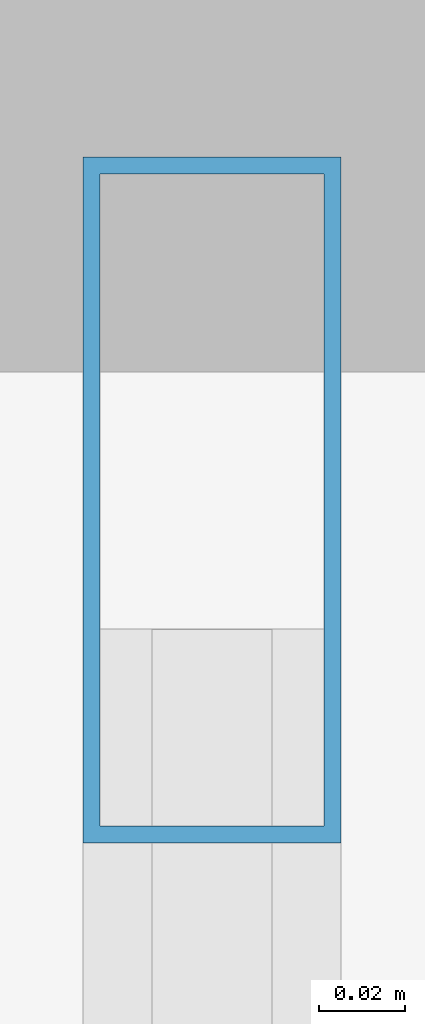
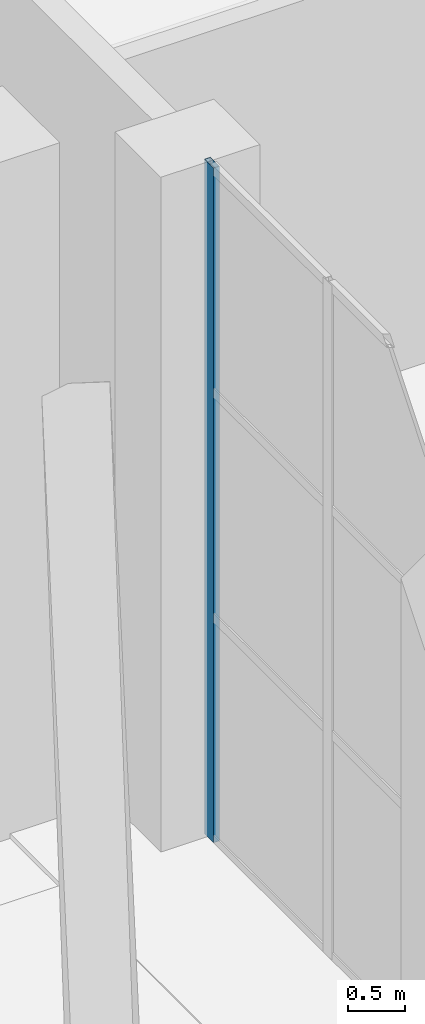
# One storey, part 127 of 239: 1 member, 1 element without a shape of its own.
"""IFC4 building model written with IfcOpenShell, lengths in metres."""

from ifc_helpers import new_model, si_unit, direction, frame, origin, origin_2d, place, context, subcontext, project, spatial, hollow_rectangle, extrude, material, material_profile, profile_set, type_object, element, aggregate, save


model = new_model("IFC4")

# Units and contexts
model_context = context("Model", 3, precision=1e-05, world=origin(), true_north=direction((0.0, 1.0)))
body_context = subcontext(model_context, "Body", "Model", "MODEL_VIEW")
ifc_project = project(units=[si_unit("LENGTHUNIT", "METRE"), si_unit("AREAUNIT", "SQUARE_METRE"), si_unit("VOLUMEUNIT", "CUBIC_METRE"), si_unit("PLANEANGLEUNIT", "RADIAN"), si_unit("MASSUNIT", "GRAM", prefix="KILO")], contexts=[model_context])

# Site, building, storey
site_placement = place(None, origin())
site = spatial("IfcSite", under=ifc_project, at=site_placement, CompositionType="ELEMENT")
building_placement = place(site_placement, origin())
building = spatial("IfcBuilding", under=site, at=building_placement, Name="Okhra Congress Centre", CompositionType="ELEMENT")
storey_placement = place(building_placement, origin())
storey = spatial("IfcBuildingStorey", under=building, at=storey_placement, Name="L00", CompositionType="ELEMENT", Elevation=0.0)

# Curtain wall, member
ifc_material_1 = material(Name="Aluminium curtain wall, triple glazing", Category="aluminium")
curtain_wall_type = type_object("IfcCurtainWallType", Name="Curtain wall 2100 module", PredefinedType="NOTDEFINED", material=ifc_material_1)
curtain_wall_placement = place(storey_placement, origin())
curtain_wall = element("IfcCurtainWall", 1, at=curtain_wall_placement, inside=storey, type_object=curtain_wall_type, Name="West bay 11 glazing", PredefinedType="NOTDEFINED")
ifc_material_2 = material(Name="Aluminium alloy EN AW-6063 T66", Category="aluminium")
ifc_material_profile = material_profile(ifc_material_2, hollow_rectangle(XDim=0.06005859375, YDim=0.159912109375, WallThickness=0.00390625, at=origin_2d()), Name="RHS 60x160x4")
ifc_profile_set = profile_set([ifc_material_profile], Name="Aluminium alloy EN AW-6063 T66")
member_type = type_object("IfcMemberType", Name="Curtain wall mullion 60x160", PredefinedType="MULLION", material=ifc_profile_set)
member_placement = place(storey_placement, frame((155.5, 130.570068359375, 0.0), z_axis=(0.0, 0.0, 1.0), x_axis=(-1.0, 0.0, 0.0)))
member = element("IfcMember", 2, at=member_placement, type_object=member_type, Name="CW4 mullion 3", PredefinedType="MULLION", context=body_context, shape_type="SweptSolid", body=[
    extrude(hollow_rectangle(XDim=0.06005859375, YDim=0.159912109375, WallThickness=0.00390625, at=origin_2d()), origin(), (0.0, 0.0, 1.0), 7.199951171875),
])
aggregate(curtain_wall, [member])

save(model, "model.ifc")
